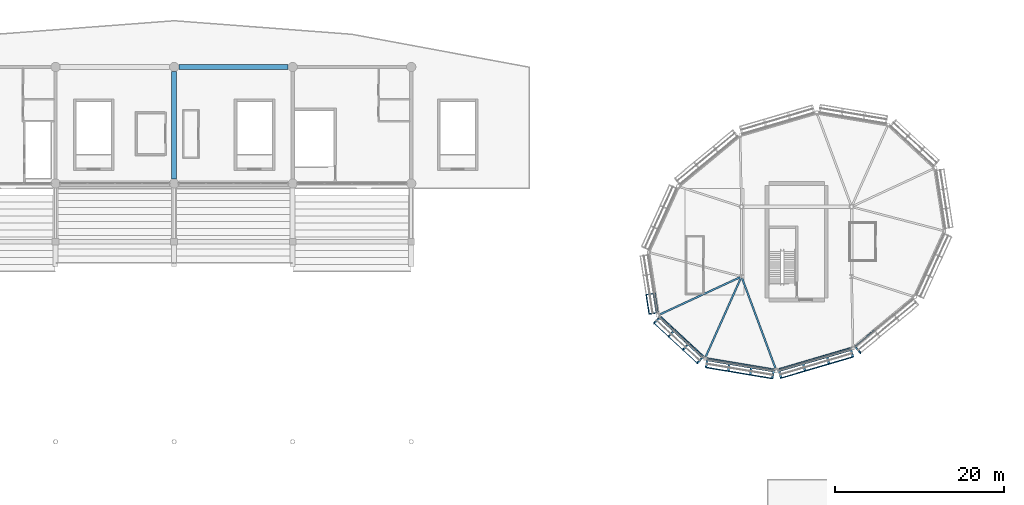
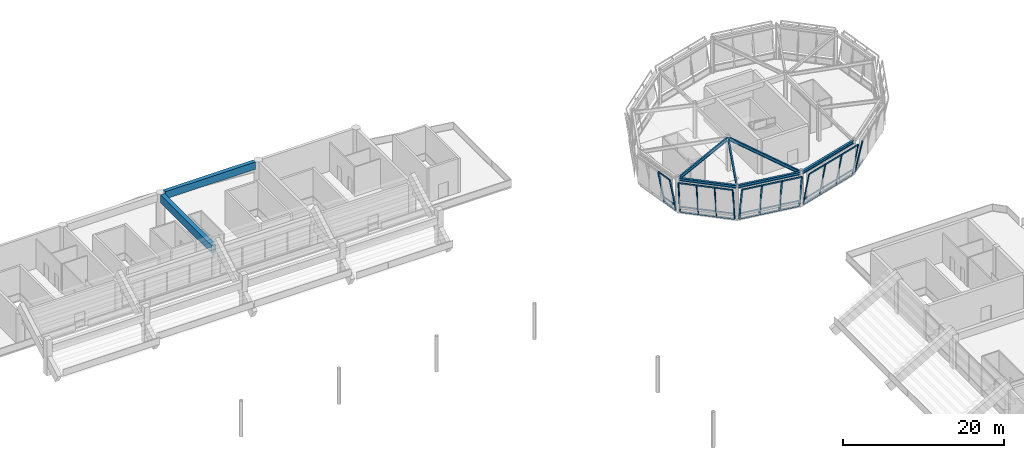
# One storey, part 53 of 90: 46 members, 8 beams, 5 elements without a shape of their own.
"""IFC4 building model written with IfcOpenShell, lengths in metres."""

from ifc_helpers import new_model, si_unit, direction, frame, origin, origin_2d, place, context, subcontext, project, spatial, rectangle, hollow_rectangle, i_section, extrude, material, material_profile, profile_set, type_object, element, aggregate, save


model = new_model("IFC4")

# Units and contexts
model_context = context("Model", 3, precision=1e-05, world=origin(), true_north=direction((0.0, 1.0)))
body_context = subcontext(model_context, "Body", "Model", "MODEL_VIEW")
ifc_project = project(units=[si_unit("LENGTHUNIT", "METRE"), si_unit("AREAUNIT", "SQUARE_METRE"), si_unit("VOLUMEUNIT", "CUBIC_METRE"), si_unit("PLANEANGLEUNIT", "RADIAN"), si_unit("MASSUNIT", "GRAM", prefix="KILO")], contexts=[model_context])

# Site, building, storey
site_placement = place(None, origin())
site = spatial("IfcSite", under=ifc_project, at=site_placement, CompositionType="ELEMENT")
building_placement = place(site_placement, origin())
building = spatial("IfcBuilding", under=site, at=building_placement, Name="Linyun Crest Stadium", CompositionType="ELEMENT")
storey_placement = place(building_placement, frame((0.0, 0.0, 21.0)))
storey = spatial("IfcBuildingStorey", under=building, at=storey_placement, Name="L05", CompositionType="ELEMENT", Elevation=21.0)

# Beams
ifc_material_1 = material(Name="Steel Q355C", Category="steel")
ifc_material_profile_1 = material_profile(ifc_material_1, i_section(OverallWidth=0.300048828125, OverallDepth=0.43994140625, WebThickness=0.010986328125, FlangeThickness=0.01806640625, at=origin_2d()), Name="HM 440x300")
ifc_profile_set_1 = profile_set([ifc_material_profile_1], Name="Steel Q355C")
beam_type_1 = type_object("IfcBeamType", Name="B07", PredefinedType="BEAM", material=ifc_profile_set_1)
beam_1_placement = place(storey_placement, frame((57.2529296875, 75.85888671875, 4.929931640625), z_axis=(0.734193861678, -0.678939889441, 0.0), x_axis=(0.678939889441, 0.734193861678, 0.0)))
element("IfcBeam", 1, at=beam_1_placement, inside=storey, type_object=beam_type_1, Name="Pod ring girder B07 L05 157", PredefinedType="BEAM", context=body_context, shape_type="SweptSolid", body=[
    extrude(i_section(OverallWidth=0.300048828125, OverallDepth=0.43994140625, WebThickness=0.010986328125, FlangeThickness=0.01806640625, at=origin_2d()), origin(), (0.0, 0.0, 1.0), 7.28173828125),
])
beam_2_placement = place(storey_placement, frame((62.804931640625, 70.81396484375, 4.929931640625), z_axis=(0.986275969976, -0.165105151487, 0.0), x_axis=(0.165105151487, 0.986275969976, 0.0)))
element("IfcBeam", 2, at=beam_2_placement, inside=storey, type_object=beam_type_1, Name="Pod ring girder B07 L05 159", PredefinedType="BEAM", context=body_context, shape_type="SweptSolid", body=[
    extrude(i_section(OverallWidth=0.300048828125, OverallDepth=0.43994140625, WebThickness=0.010986328125, FlangeThickness=0.01806640625, at=origin_2d()), origin(), (0.0, 0.0, 1.0), 8.296875),
])
beam_3_placement = place(storey_placement, frame((71.220947265625, 69.4580078125, 4.929931640625), z_axis=(0.959427571735, 0.281955199623, 0.0), x_axis=(-0.281955199623, 0.959427571735, 0.0)))
element("IfcBeam", 3, at=beam_3_placement, inside=storey, type_object=beam_type_1, Name="Pod ring girder B07 L05 161", PredefinedType="BEAM", context=body_context, shape_type="SweptSolid", body=[
    extrude(i_section(OverallWidth=0.300048828125, OverallDepth=0.43994140625, WebThickness=0.010986328125, FlangeThickness=0.01806640625, at=origin_2d()), origin(), (0.0, 0.0, 1.0), 9.203369140625),
])
ifc_material_2 = material(Name="Steel Q355C", Category="steel")
ifc_material_profile_2 = material_profile(ifc_material_2, i_section(OverallWidth=0.199951171875, OverallDepth=0.5, WebThickness=0.010009765625, FlangeThickness=0.01611328125, at=origin_2d()), Name="HN 500x200")
ifc_profile_set_2 = profile_set([ifc_material_profile_2], Name="Steel Q355C")
beam_type_2 = type_object("IfcBeamType", Name="B10", PredefinedType="BEAM", material=ifc_profile_set_2)
beam_4_placement = place(storey_placement, frame((66.819091796875, 80.416015625, 4.89990234375), z_axis=(-0.907241490816, -0.420610125106, 0.0), x_axis=(0.420610125106, -0.907241490816, 0.0)))
element("IfcBeam", 4, at=beam_4_placement, inside=storey, type_object=beam_type_2, Name="Pod radial tie girder B10 L05 158", PredefinedType="BEAM", context=body_context, shape_type="SweptSolid", body=[
    extrude(i_section(OverallWidth=0.199951171875, OverallDepth=0.5, WebThickness=0.010009765625, FlangeThickness=0.01611328125, at=origin_2d()), origin(), (0.0, 0.0, 1.0), 10.420654296875),
])
beam_5_placement = place(storey_placement, frame((66.9189453125, 80.31689453125, 4.89990234375), z_axis=(-0.407495258441, -0.913207322763, 0.0), x_axis=(0.913207322763, -0.407495258441, 0.0)))
element("IfcBeam", 5, at=beam_5_placement, inside=storey, type_object=beam_type_2, Name="Pod radial tie girder B10 L05 160", PredefinedType="BEAM", context=body_context, shape_type="SweptSolid", body=[
    extrude(i_section(OverallWidth=0.199951171875, OverallDepth=0.5, WebThickness=0.010009765625, FlangeThickness=0.01611328125, at=origin_2d()), origin(), (0.0, 0.0, 1.0), 10.1640625),
])
beam_6_placement = place(storey_placement, frame((67.070068359375, 80.31201171875, 4.89990234375), z_axis=(0.347593524127, -0.937645317796, 0.0), x_axis=(0.937645317796, 0.347593524127, 0.0)))
element("IfcBeam", 6, at=beam_6_placement, inside=storey, type_object=beam_type_2, Name="Pod radial tie girder B10 L05 162", PredefinedType="BEAM", context=body_context, shape_type="SweptSolid", body=[
    extrude(i_section(OverallWidth=0.199951171875, OverallDepth=0.5, WebThickness=0.010009765625, FlangeThickness=0.01611328125, at=origin_2d()), origin(), (0.0, 0.0, 1.0), 11.392578125),
])

# Curtain wall, members
ifc_material_3 = material(Name="Verdigris steel and low-E curtain wall assembly", Category="steel")
curtain_wall_type = type_object("IfcCurtainWallType", Name="MCW04", PredefinedType="NOTDEFINED", material=ifc_material_3)
curtain_wall_1_placement = place(storey_placement, origin())
curtain_wall_1 = element("IfcCurtainWall", 7, at=curtain_wall_1_placement, inside=storey, type_object=curtain_wall_type, Name="CWR-054", PredefinedType="NOTDEFINED")
ifc_material_4 = material(Name="Verdigris painted steel Q355C pod mullion", Category="steel")
ifc_material_profile_3 = material_profile(ifc_material_4, hollow_rectangle(XDim=0.1201171875, YDim=0.219970703125, WallThickness=0.008056640625, at=origin_2d()), Name="RHS 220x120x8")
ifc_profile_set_3 = profile_set([ifc_material_profile_3], Name="Verdigris painted steel Q355C pod mullion")
member_type_1 = type_object("IfcMemberType", Name="ML04", PredefinedType="MULLION", material=ifc_profile_set_3)
member_1_placement = place(storey_placement, frame((56.76806640625, 78.51611328125, 0.0), z_axis=(-0.196972134201, -0.030212480498, 0.979943459782), x_axis=(0.297195980981, -0.95433515081, 0.030314498475)))
member_1 = element("IfcMember", 8, at=member_1_placement, type_object=member_type_1, Name="CWR-054 mullion 3", PredefinedType="MULLION", context=body_context, shape_type="SweptSolid", body=[
    extrude(hollow_rectangle(XDim=0.1201171875, YDim=0.219970703125, WallThickness=0.008056640625, at=origin_2d()), origin(), (0.0, 0.0, 1.0), 5.16357421875),
])
member_2_placement = place(storey_placement, frame((57.118896484375, 76.237060546875, 0.0), z_axis=(-0.196925558343, -0.030401712849, 0.97994696812), x_axis=(0.298126026527, -0.954045105123, 0.030311873873)))
member_2 = element("IfcMember", 9, at=member_2_placement, type_object=member_type_1, Name="CWR-054 mullion 4", PredefinedType="MULLION", context=body_context, shape_type="SweptSolid", body=[
    extrude(hollow_rectangle(XDim=0.1201171875, YDim=0.219970703125, WallThickness=0.008056640625, at=origin_2d()), origin(), (0.0, 0.0, 1.0), 5.16357421875),
])

curtain_wall_2_placement = place(storey_placement, origin())
curtain_wall_2 = element("IfcCurtainWall", 10, at=curtain_wall_2_placement, inside=storey, type_object=curtain_wall_type, Name="CWR-055", PredefinedType="NOTDEFINED")
member_3_placement = place(storey_placement, frame((57.385009765625, 75.736083984375, 0.0), z_axis=(-0.135361474609, -0.146424899359, 0.979916843431), x_axis=(0.986908625049, 0.067601716687, 0.146428732514)))
member_3 = element("IfcMember", 11, at=member_3_placement, type_object=member_type_1, Name="CWR-055 mullion 1", PredefinedType="MULLION", context=body_context, shape_type="SweptSolid", body=[
    extrude(hollow_rectangle(XDim=0.1201171875, YDim=0.219970703125, WallThickness=0.008056640625, at=origin_2d()), origin(), (0.0, 0.0, 1.0), 5.163818359375),
])
member_4_placement = place(storey_placement, frame((59.0791015625, 74.169921875, 0.0), z_axis=(-0.135408824728, -0.146377696005, 0.97991735381), x_axis=(0.986931474676, 0.067271316009, 0.146426890757)))
member_4 = element("IfcMember", 12, at=member_4_placement, type_object=member_type_1, Name="CWR-055 mullion 2", PredefinedType="MULLION", context=body_context, shape_type="SweptSolid", body=[
    extrude(hollow_rectangle(XDim=0.1201171875, YDim=0.219970703125, WallThickness=0.008056640625, at=origin_2d()), origin(), (0.0, 0.0, 1.0), 5.163818359375),
])
member_5_placement = place(storey_placement, frame((60.77294921875, 72.60400390625, 0.0), z_axis=(-0.135361474609, -0.146424899359, 0.979916843431), x_axis=(0.986908625049, 0.067601716687, 0.146428732514)))
member_5 = element("IfcMember", 13, at=member_5_placement, type_object=member_type_1, Name="CWR-055 mullion 3", PredefinedType="MULLION", context=body_context, shape_type="SweptSolid", body=[
    extrude(hollow_rectangle(XDim=0.1201171875, YDim=0.219970703125, WallThickness=0.008056640625, at=origin_2d()), origin(), (0.0, 0.0, 1.0), 5.163818359375),
])
member_6_placement = place(storey_placement, frame((62.467041015625, 71.0380859375, 0.0), z_axis=(-0.135361474609, -0.146424899359, 0.979916843431), x_axis=(0.986908625049, 0.067601716687, 0.146428732514)))
member_6 = element("IfcMember", 14, at=member_6_placement, type_object=member_type_1, Name="CWR-055 mullion 4", PredefinedType="MULLION", context=body_context, shape_type="SweptSolid", body=[
    extrude(hollow_rectangle(XDim=0.1201171875, YDim=0.219970703125, WallThickness=0.008056640625, at=origin_2d()), origin(), (0.0, 0.0, 1.0), 5.163818359375),
])

curtain_wall_3_placement = place(storey_placement, origin())
curtain_wall_3 = element("IfcCurtainWall", 15, at=curtain_wall_3_placement, inside=storey, type_object=curtain_wall_type, Name="CWR-056", PredefinedType="NOTDEFINED")
member_7_placement = place(storey_placement, frame((62.98291015625, 70.783935546875, 0.0), z_axis=(-0.032907446798, -0.196546345318, 0.979942158542), x_axis=(0.322380364555, 0.925980213076, 0.196549091937)))
member_7 = element("IfcMember", 16, at=member_7_placement, type_object=member_type_1, Name="CWR-056 mullion 1", PredefinedType="MULLION", context=body_context, shape_type="SweptSolid", body=[
    extrude(hollow_rectangle(XDim=0.1201171875, YDim=0.219970703125, WallThickness=0.008056640625, at=origin_2d()), origin(), (0.0, 0.0, 1.0), 5.16357421875),
])
member_8_placement = place(storey_placement, frame((65.592041015625, 70.346923828125, 0.0), z_axis=(-0.032907446798, -0.196546345318, 0.979942158542), x_axis=(0.322380364555, 0.925980213076, 0.196549091937)))
member_8 = element("IfcMember", 17, at=member_8_placement, type_object=member_type_1, Name="CWR-056 mullion 2", PredefinedType="MULLION", context=body_context, shape_type="SweptSolid", body=[
    extrude(hollow_rectangle(XDim=0.1201171875, YDim=0.219970703125, WallThickness=0.008056640625, at=origin_2d()), origin(), (0.0, 0.0, 1.0), 5.16357421875),
])
member_9_placement = place(storey_placement, frame((68.200927734375, 69.910888671875, 0.0), z_axis=(-0.03290622306, -0.196728152516, 0.979905717144), x_axis=(0.322229454544, 0.925995226234, 0.196725747212)))
member_9 = element("IfcMember", 18, at=member_9_placement, type_object=member_type_1, Name="CWR-056 mullion 3", PredefinedType="MULLION", context=body_context, shape_type="SweptSolid", body=[
    extrude(hollow_rectangle(XDim=0.1201171875, YDim=0.219970703125, WallThickness=0.008056640625, at=origin_2d()), origin(), (0.0, 0.0, 1.0), 5.163818359375),
])
member_10_placement = place(storey_placement, frame((70.81005859375, 69.47412109375, 0.0), z_axis=(-0.032954370027, -0.19659149293, 0.979931525365), x_axis=(0.322558975368, 0.925907063302, 0.196600654976)))
member_10 = element("IfcMember", 19, at=member_10_placement, type_object=member_type_1, Name="CWR-056 mullion 4", PredefinedType="MULLION", context=body_context, shape_type="SweptSolid", body=[
    extrude(hollow_rectangle(XDim=0.1201171875, YDim=0.219970703125, WallThickness=0.008056640625, at=origin_2d()), origin(), (0.0, 0.0, 1.0), 5.16357421875),
])

curtain_wall_4_placement = place(storey_placement, origin())
curtain_wall_4 = element("IfcCurtainWall", 20, at=curtain_wall_4_placement, inside=storey, type_object=curtain_wall_type, Name="CWR-057", PredefinedType="NOTDEFINED")
member_11_placement = place(storey_placement, frame((71.39404296875, 69.509033203125, 0.0), z_axis=(0.056168070102, -0.191340218605, 0.979915337488), x_axis=(-0.535394875779, 0.822647487716, 0.191320249697)))
member_11 = element("IfcMember", 21, at=member_11_placement, type_object=member_type_1, Name="CWR-057 mullion 1", PredefinedType="MULLION", context=body_context, shape_type="SweptSolid", body=[
    extrude(hollow_rectangle(XDim=0.1201171875, YDim=0.219970703125, WallThickness=0.008056640625, at=origin_2d()), origin(), (0.0, 0.0, 1.0), 5.163818359375),
])
member_12_placement = place(storey_placement, frame((74.221923828125, 70.340087890625, 0.0), z_axis=(0.056168070102, -0.191340218605, 0.979915337488), x_axis=(-0.535394875779, 0.822647487716, 0.191320249697)))
member_12 = element("IfcMember", 22, at=member_12_placement, type_object=member_type_1, Name="CWR-057 mullion 2", PredefinedType="MULLION", context=body_context, shape_type="SweptSolid", body=[
    extrude(hollow_rectangle(XDim=0.1201171875, YDim=0.219970703125, WallThickness=0.008056640625, at=origin_2d()), origin(), (0.0, 0.0, 1.0), 5.163818359375),
])
member_13_placement = place(storey_placement, frame((77.050048828125, 71.1708984375, 0.0), z_axis=(0.056168578169, -0.191294669421, 0.979924201292), x_axis=(-0.535452219958, 0.822619883242, 0.191278456282)))
member_13 = element("IfcMember", 23, at=member_13_placement, type_object=member_type_1, Name="CWR-057 mullion 3", PredefinedType="MULLION", context=body_context, shape_type="SweptSolid", body=[
    extrude(hollow_rectangle(XDim=0.1201171875, YDim=0.219970703125, WallThickness=0.008056640625, at=origin_2d()), origin(), (0.0, 0.0, 1.0), 5.163818359375),
])
member_14_placement = place(storey_placement, frame((79.8779296875, 72.001953125, 0.0), z_axis=(0.056168070102, -0.191340218605, 0.979915337488), x_axis=(-0.535394875779, 0.822647487716, 0.191320249697)))
member_14 = element("IfcMember", 24, at=member_14_placement, type_object=member_type_1, Name="CWR-057 mullion 4", PredefinedType="MULLION", context=body_context, shape_type="SweptSolid", body=[
    extrude(hollow_rectangle(XDim=0.1201171875, YDim=0.219970703125, WallThickness=0.008056640625, at=origin_2d()), origin(), (0.0, 0.0, 1.0), 5.163818359375),
])

# Curtain wall, member
curtain_wall_5_placement = place(storey_placement, origin())
curtain_wall_5 = element("IfcCurtainWall", 25, at=curtain_wall_5_placement, inside=storey, type_object=curtain_wall_type, Name="CWR-058", PredefinedType="NOTDEFINED")
member_15_placement = place(storey_placement, frame((80.39697265625, 72.278076171875, 0.0), z_axis=(0.127228985463, -0.153563636115, 0.979913769125), x_axis=(-0.972618583127, 0.174402528684, 0.153612661409)))
member_15 = element("IfcMember", 26, at=member_15_placement, type_object=member_type_1, Name="CWR-058 mullion 1", PredefinedType="MULLION", context=body_context, shape_type="SweptSolid", body=[
    extrude(hollow_rectangle(XDim=0.1201171875, YDim=0.219970703125, WallThickness=0.008056640625, at=origin_2d()), origin(), (0.0, 0.0, 1.0), 5.163818359375),
])

# Beams
ifc_material_5 = material(Name="Concrete C50", Category="concrete")
ifc_material_profile_4 = material_profile(ifc_material_5, rectangle(XDim=0.550048828125, YDim=1.10009765625, at=origin_2d()), Name="RCB 1100x550")
ifc_profile_set_4 = profile_set([ifc_material_profile_4], Name="Concrete C50")
beam_type_3 = type_object("IfcBeamType", Name="TB01", PredefinedType="USERDEFINED", material=ifc_profile_set_4)
beam_7_placement = place(storey_placement, frame((0.550048828125, 105.25, 4.635009765625), z_axis=(1.0, 0.0, 0.0), x_axis=(0.0, 1.0, 0.0)))
element("IfcBeam", 27, at=beam_7_placement, inside=storey, type_object=beam_type_3, Name="Frame beam TB01 L05 827", ObjectType="GIRDER", PredefinedType="USERDEFINED", context=body_context, shape_type="SweptSolid", body=[
    extrude(rectangle(XDim=0.550048828125, YDim=1.10009765625, at=origin_2d()), origin(), (0.0, 0.0, 1.0), 12.89990234375),
])
ifc_material_6 = material(Name="Concrete C50", Category="concrete")
ifc_material_profile_5 = material_profile(ifc_material_6, rectangle(XDim=0.60009765625, YDim=1.199951171875, at=origin_2d()), Name="RCB 1200x600")
ifc_profile_set_5 = profile_set([ifc_material_profile_5], Name="Concrete C50")
beam_type_4 = type_object("IfcBeamType", Name="TB02", PredefinedType="USERDEFINED", material=ifc_profile_set_5)
beam_8_placement = place(storey_placement, frame((0.0, 92.050048828125, 4.5849609375), z_axis=(0.0, 1.0, 0.0), x_axis=(-1.0, 0.0, 0.0)))
element("IfcBeam", 28, at=beam_8_placement, inside=storey, type_object=beam_type_4, Name="Frame beam TB02 L05 831", ObjectType="GIRDER", PredefinedType="USERDEFINED", context=body_context, shape_type="SweptSolid", body=[
    extrude(rectangle(XDim=0.60009765625, YDim=1.199951171875, at=origin_2d()), origin(), (0.0, 0.0, 1.0), 12.64990234375),
])

# Member
ifc_material_7 = material(Name="Verdigris painted steel Q355C transom", Category="steel")
ifc_material_profile_6 = material_profile(ifc_material_7, hollow_rectangle(XDim=0.10009765625, YDim=0.199951171875, WallThickness=0.008056640625, at=origin_2d()), Name="RHS 200x100x8")
ifc_profile_set_6 = profile_set([ifc_material_profile_6], Name="Verdigris painted steel Q355C transom")
member_type_2 = type_object("IfcMemberType", Name="TR03", PredefinedType="USERDEFINED", material=ifc_profile_set_6)
member_16_placement = place(storey_placement, frame((56.76806640625, 78.51611328125, 0.0), z_axis=(0.152144700169, -0.988358229697, 0.0), x_axis=(0.988358229697, 0.152144700169, 0.0)))
member_16 = element("IfcMember", 29, at=member_16_placement, type_object=member_type_2, Name="CWR-054 transom 3.1", ObjectType="TRANSOM", PredefinedType="USERDEFINED", context=body_context, shape_type="SweptSolid", body=[
    extrude(hollow_rectangle(XDim=0.10009765625, YDim=0.199951171875, WallThickness=0.008056640625, at=origin_2d()), origin(), (0.0, 0.0, 1.0), 2.305908203125),
])

member_17_placement = place(storey_placement, frame((56.5869140625, 78.488037109375, 0.89990234375), z_axis=(0.152248123454, -0.988342303509, 0.0), x_axis=(0.988342303509, 0.152248123454, 0.0)))
member_17 = element("IfcMember", 30, at=member_17_placement, type_object=member_type_2, Name="CWR-054 transom 3.2", ObjectType="TRANSOM", PredefinedType="USERDEFINED", context=body_context, shape_type="SweptSolid", body=[
    extrude(hollow_rectangle(XDim=0.10009765625, YDim=0.199951171875, WallThickness=0.008056640625, at=origin_2d()), origin(), (0.0, 0.0, 1.0), 2.305908203125),
])

member_18_placement = place(storey_placement, frame((55.7509765625, 78.360107421875, 5.06005859375), z_axis=(0.152184424427, -0.988352113855, 0.0), x_axis=(0.988352113855, 0.152184424427, 0.0)))
member_18 = element("IfcMember", 31, at=member_18_placement, type_object=member_type_2, Name="CWR-054 transom 3.3", ObjectType="TRANSOM", PredefinedType="USERDEFINED", context=body_context, shape_type="SweptSolid", body=[
    extrude(hollow_rectangle(XDim=0.10009765625, YDim=0.199951171875, WallThickness=0.008056640625, at=origin_2d()), origin(), (0.0, 0.0, 1.0), 2.306884765625),
])

aggregate(curtain_wall_1, [member_1, member_2, member_16, member_17, member_18])

member_19_placement = place(storey_placement, frame((57.385009765625, 75.736083984375, 0.0), z_axis=(0.734287991916, -0.678838084471, 0.0), x_axis=(0.678838084471, 0.734287991916, 0.0)))
member_19 = element("IfcMember", 32, at=member_19_placement, type_object=member_type_2, Name="CWR-055 transom 1.1", ObjectType="TRANSOM", PredefinedType="USERDEFINED", context=body_context, shape_type="SweptSolid", body=[
    extrude(hollow_rectangle(XDim=0.10009765625, YDim=0.199951171875, WallThickness=0.008056640625, at=origin_2d()), origin(), (0.0, 0.0, 1.0), 2.30712890625),
])

member_20_placement = place(storey_placement, frame((57.260986328125, 75.60205078125, 0.89990234375), z_axis=(0.734287991916, -0.678838084471, 0.0), x_axis=(0.678838084471, 0.734287991916, 0.0)))
member_20 = element("IfcMember", 33, at=member_20_placement, type_object=member_type_2, Name="CWR-055 transom 1.2", ObjectType="TRANSOM", PredefinedType="USERDEFINED", context=body_context, shape_type="SweptSolid", body=[
    extrude(hollow_rectangle(XDim=0.10009765625, YDim=0.199951171875, WallThickness=0.008056640625, at=origin_2d()), origin(), (0.0, 0.0, 1.0), 2.30712890625),
])

member_21_placement = place(storey_placement, frame((56.68603515625, 74.97998046875, 5.06005859375), z_axis=(0.73429197574, -0.678833775208, 0.0), x_axis=(0.678833775208, 0.73429197574, 0.0)))
member_21 = element("IfcMember", 34, at=member_21_placement, type_object=member_type_2, Name="CWR-055 transom 1.3", ObjectType="TRANSOM", PredefinedType="USERDEFINED", context=body_context, shape_type="SweptSolid", body=[
    extrude(hollow_rectangle(XDim=0.10009765625, YDim=0.199951171875, WallThickness=0.008056640625, at=origin_2d()), origin(), (0.0, 0.0, 1.0), 2.306884765625),
])

member_22_placement = place(storey_placement, frame((59.0791015625, 74.169921875, 0.0), z_axis=(0.73429197574, -0.678833775208, 0.0), x_axis=(0.678833775208, 0.73429197574, 0.0)))
member_22 = element("IfcMember", 35, at=member_22_placement, type_object=member_type_2, Name="CWR-055 transom 2.1", ObjectType="TRANSOM", PredefinedType="USERDEFINED", context=body_context, shape_type="SweptSolid", body=[
    extrude(hollow_rectangle(XDim=0.10009765625, YDim=0.199951171875, WallThickness=0.008056640625, at=origin_2d()), origin(), (0.0, 0.0, 1.0), 2.306884765625),
])

member_23_placement = place(storey_placement, frame((58.955078125, 74.035888671875, 0.89990234375), z_axis=(0.73429197574, -0.678833775208, 0.0), x_axis=(0.678833775208, 0.73429197574, 0.0)))
member_23 = element("IfcMember", 36, at=member_23_placement, type_object=member_type_2, Name="CWR-055 transom 2.2", ObjectType="TRANSOM", PredefinedType="USERDEFINED", context=body_context, shape_type="SweptSolid", body=[
    extrude(hollow_rectangle(XDim=0.10009765625, YDim=0.199951171875, WallThickness=0.008056640625, at=origin_2d()), origin(), (0.0, 0.0, 1.0), 2.306884765625),
])

member_24_placement = place(storey_placement, frame((58.3798828125, 73.4140625, 5.06005859375), z_axis=(0.734287991916, -0.678838084471, 0.0), x_axis=(0.678838084471, 0.734287991916, 0.0)))
member_24 = element("IfcMember", 37, at=member_24_placement, type_object=member_type_2, Name="CWR-055 transom 2.3", ObjectType="TRANSOM", PredefinedType="USERDEFINED", context=body_context, shape_type="SweptSolid", body=[
    extrude(hollow_rectangle(XDim=0.10009765625, YDim=0.199951171875, WallThickness=0.008056640625, at=origin_2d()), origin(), (0.0, 0.0, 1.0), 2.30712890625),
])

member_25_placement = place(storey_placement, frame((60.77294921875, 72.60400390625, 0.0), z_axis=(0.734340741023, -0.678781022182, 0.0), x_axis=(0.678781022182, 0.734340741023, 0.0)))
member_25 = element("IfcMember", 38, at=member_25_placement, type_object=member_type_2, Name="CWR-055 transom 3.1", ObjectType="TRANSOM", PredefinedType="USERDEFINED", context=body_context, shape_type="SweptSolid", body=[
    extrude(hollow_rectangle(XDim=0.10009765625, YDim=0.199951171875, WallThickness=0.008056640625, at=origin_2d()), origin(), (0.0, 0.0, 1.0), 2.306884765625),
])

member_26_placement = place(storey_placement, frame((60.64892578125, 72.469970703125, 0.89990234375), z_axis=(0.734340741023, -0.678781022182, 0.0), x_axis=(0.678781022182, 0.734340741023, 0.0)))
member_26 = element("IfcMember", 39, at=member_26_placement, type_object=member_type_2, Name="CWR-055 transom 3.2", ObjectType="TRANSOM", PredefinedType="USERDEFINED", context=body_context, shape_type="SweptSolid", body=[
    extrude(hollow_rectangle(XDim=0.10009765625, YDim=0.199951171875, WallThickness=0.008056640625, at=origin_2d()), origin(), (0.0, 0.0, 1.0), 2.306884765625),
])

member_27_placement = place(storey_placement, frame((60.073974609375, 71.847900390625, 5.06005859375), z_axis=(0.734340741023, -0.678781022182, 0.0), x_axis=(0.678781022182, 0.734340741023, 0.0)))
member_27 = element("IfcMember", 40, at=member_27_placement, type_object=member_type_2, Name="CWR-055 transom 3.3", ObjectType="TRANSOM", PredefinedType="USERDEFINED", context=body_context, shape_type="SweptSolid", body=[
    extrude(hollow_rectangle(XDim=0.10009765625, YDim=0.199951171875, WallThickness=0.008056640625, at=origin_2d()), origin(), (0.0, 0.0, 1.0), 2.306884765625),
])

aggregate(curtain_wall_2, [member_3, member_4, member_5, member_6, member_19, member_20, member_21, member_22, member_23, member_24, member_25, member_26, member_27])

member_28_placement = place(storey_placement, frame((62.98291015625, 70.783935546875, 0.0), z_axis=(0.986261411357, -0.165192095661, 0.0), x_axis=(0.165192095661, 0.986261411357, 0.0)))
member_28 = element("IfcMember", 41, at=member_28_placement, type_object=member_type_2, Name="CWR-056 transom 1.1", ObjectType="TRANSOM", PredefinedType="USERDEFINED", context=body_context, shape_type="SweptSolid", body=[
    extrude(hollow_rectangle(XDim=0.10009765625, YDim=0.199951171875, WallThickness=0.008056640625, at=origin_2d()), origin(), (0.0, 0.0, 1.0), 2.6455078125),
])

member_29_placement = place(storey_placement, frame((62.952880859375, 70.60302734375, 0.89990234375), z_axis=(0.986321491601, -0.164832991859, 0.0), x_axis=(0.164832991859, 0.986321491601, 0.0)))
member_29 = element("IfcMember", 42, at=member_29_placement, type_object=member_type_2, Name="CWR-056 transom 1.2", ObjectType="TRANSOM", PredefinedType="USERDEFINED", context=body_context, shape_type="SweptSolid", body=[
    extrude(hollow_rectangle(XDim=0.10009765625, YDim=0.199951171875, WallThickness=0.008056640625, at=origin_2d()), origin(), (0.0, 0.0, 1.0), 2.645263671875),
])

member_30_placement = place(storey_placement, frame((62.81298828125, 69.76904296875, 5.06005859375), z_axis=(0.986261411357, -0.165192095661, 0.0), x_axis=(0.165192095661, 0.986261411357, 0.0)))
member_30 = element("IfcMember", 43, at=member_30_placement, type_object=member_type_2, Name="CWR-056 transom 1.3", ObjectType="TRANSOM", PredefinedType="USERDEFINED", context=body_context, shape_type="SweptSolid", body=[
    extrude(hollow_rectangle(XDim=0.10009765625, YDim=0.199951171875, WallThickness=0.008056640625, at=origin_2d()), origin(), (0.0, 0.0, 1.0), 2.6455078125),
])

member_31_placement = place(storey_placement, frame((65.592041015625, 70.346923828125, 0.0), z_axis=(0.986318983701, -0.164847997837, 0.0), x_axis=(0.164847997837, 0.986318983701, 0.0)))
member_31 = element("IfcMember", 44, at=member_31_placement, type_object=member_type_2, Name="CWR-056 transom 2.1", ObjectType="TRANSOM", PredefinedType="USERDEFINED", context=body_context, shape_type="SweptSolid", body=[
    extrude(hollow_rectangle(XDim=0.10009765625, YDim=0.199951171875, WallThickness=0.008056640625, at=origin_2d()), origin(), (0.0, 0.0, 1.0), 2.64501953125),
])

member_32_placement = place(storey_placement, frame((65.56201171875, 70.1669921875, 0.89990234375), z_axis=(0.98625889267, -0.165207132499, 0.0), x_axis=(0.165207132499, 0.98625889267, 0.0)))
member_32 = element("IfcMember", 45, at=member_32_placement, type_object=member_type_2, Name="CWR-056 transom 2.2", ObjectType="TRANSOM", PredefinedType="USERDEFINED", context=body_context, shape_type="SweptSolid", body=[
    extrude(hollow_rectangle(XDim=0.10009765625, YDim=0.199951171875, WallThickness=0.008056640625, at=origin_2d()), origin(), (0.0, 0.0, 1.0), 2.645263671875),
])

member_33_placement = place(storey_placement, frame((65.422119140625, 69.33203125, 5.06005859375), z_axis=(0.98625889267, -0.165207132499, 0.0), x_axis=(0.165207132499, 0.98625889267, 0.0)))
member_33 = element("IfcMember", 46, at=member_33_placement, type_object=member_type_2, Name="CWR-056 transom 2.3", ObjectType="TRANSOM", PredefinedType="USERDEFINED", context=body_context, shape_type="SweptSolid", body=[
    extrude(hollow_rectangle(XDim=0.10009765625, YDim=0.199951171875, WallThickness=0.008056640625, at=origin_2d()), origin(), (0.0, 0.0, 1.0), 2.645263671875),
])

member_34_placement = place(storey_placement, frame((68.200927734375, 69.910888671875, 0.0), z_axis=(0.986276442989, -0.165102325864, 0.0), x_axis=(0.165102325864, 0.986276442989, 0.0)))
member_34 = element("IfcMember", 47, at=member_34_placement, type_object=member_type_2, Name="CWR-056 transom 3.1", ObjectType="TRANSOM", PredefinedType="USERDEFINED", context=body_context, shape_type="SweptSolid", body=[
    extrude(hollow_rectangle(XDim=0.10009765625, YDim=0.199951171875, WallThickness=0.008056640625, at=origin_2d()), origin(), (0.0, 0.0, 1.0), 2.6455078125),
])

member_35_placement = place(storey_placement, frame((68.1708984375, 69.72998046875, 0.89990234375), z_axis=(0.986261411357, -0.165192095661, 0.0), x_axis=(0.165192095661, 0.986261411357, 0.0)))
member_35 = element("IfcMember", 48, at=member_35_placement, type_object=member_type_2, Name="CWR-056 transom 3.2", ObjectType="TRANSOM", PredefinedType="USERDEFINED", context=body_context, shape_type="SweptSolid", body=[
    extrude(hollow_rectangle(XDim=0.10009765625, YDim=0.199951171875, WallThickness=0.008056640625, at=origin_2d()), origin(), (0.0, 0.0, 1.0), 2.6455078125),
])

member_36_placement = place(storey_placement, frame((68.031005859375, 68.89501953125, 5.06005859375), z_axis=(0.986318983701, -0.164847997837, 0.0), x_axis=(0.164847997837, 0.986318983701, 0.0)))
member_36 = element("IfcMember", 49, at=member_36_placement, type_object=member_type_2, Name="CWR-056 transom 3.3", ObjectType="TRANSOM", PredefinedType="USERDEFINED", context=body_context, shape_type="SweptSolid", body=[
    extrude(hollow_rectangle(XDim=0.10009765625, YDim=0.199951171875, WallThickness=0.008056640625, at=origin_2d()), origin(), (0.0, 0.0, 1.0), 2.64501953125),
])

aggregate(curtain_wall_3, [member_7, member_8, member_9, member_10, member_28, member_29, member_30, member_31, member_32, member_33, member_34, member_35, member_36])

member_37_placement = place(storey_placement, frame((71.39404296875, 69.509033203125, 0.0), z_axis=(0.959427469513, 0.28195554746, 0.0), x_axis=(-0.28195554746, 0.959427469513, 0.0)))
member_37 = element("IfcMember", 50, at=member_37_placement, type_object=member_type_2, Name="CWR-057 transom 1.1", ObjectType="TRANSOM", PredefinedType="USERDEFINED", context=body_context, shape_type="SweptSolid", body=[
    extrude(hollow_rectangle(XDim=0.10009765625, YDim=0.199951171875, WallThickness=0.008056640625, at=origin_2d()), origin(), (0.0, 0.0, 1.0), 2.947509765625),
])

member_38_placement = place(storey_placement, frame((71.446044921875, 69.3330078125, 0.89990234375), z_axis=(0.959427469513, 0.28195554746, 0.0), x_axis=(-0.28195554746, 0.959427469513, 0.0)))
member_38 = element("IfcMember", 51, at=member_38_placement, type_object=member_type_2, Name="CWR-057 transom 1.2", ObjectType="TRANSOM", PredefinedType="USERDEFINED", context=body_context, shape_type="SweptSolid", body=[
    extrude(hollow_rectangle(XDim=0.10009765625, YDim=0.199951171875, WallThickness=0.008056640625, at=origin_2d()), origin(), (0.0, 0.0, 1.0), 2.947509765625),
])

member_39_placement = place(storey_placement, frame((71.68408203125, 68.52099609375, 5.06005859375), z_axis=(0.959427469513, 0.28195554746, 0.0), x_axis=(-0.28195554746, 0.959427469513, 0.0)))
member_39 = element("IfcMember", 52, at=member_39_placement, type_object=member_type_2, Name="CWR-057 transom 1.3", ObjectType="TRANSOM", PredefinedType="USERDEFINED", context=body_context, shape_type="SweptSolid", body=[
    extrude(hollow_rectangle(XDim=0.10009765625, YDim=0.199951171875, WallThickness=0.008056640625, at=origin_2d()), origin(), (0.0, 0.0, 1.0), 2.947509765625),
])

member_40_placement = place(storey_placement, frame((74.221923828125, 70.340087890625, 0.0), z_axis=(0.959456454772, 0.281856898791, 0.0), x_axis=(-0.281856898791, 0.959456454772, 0.0)))
member_40 = element("IfcMember", 53, at=member_40_placement, type_object=member_type_2, Name="CWR-057 transom 2.1", ObjectType="TRANSOM", PredefinedType="USERDEFINED", context=body_context, shape_type="SweptSolid", body=[
    extrude(hollow_rectangle(XDim=0.10009765625, YDim=0.199951171875, WallThickness=0.008056640625, at=origin_2d()), origin(), (0.0, 0.0, 1.0), 2.94775390625),
])

member_41_placement = place(storey_placement, frame((74.27392578125, 70.1640625, 0.89990234375), z_axis=(0.959434053677, 0.281933142154, 0.0), x_axis=(-0.281933142154, 0.959434053677, 0.0)))
member_41 = element("IfcMember", 54, at=member_41_placement, type_object=member_type_2, Name="CWR-057 transom 2.2", ObjectType="TRANSOM", PredefinedType="USERDEFINED", context=body_context, shape_type="SweptSolid", body=[
    extrude(hollow_rectangle(XDim=0.10009765625, YDim=0.199951171875, WallThickness=0.008056640625, at=origin_2d()), origin(), (0.0, 0.0, 1.0), 2.94775390625),
])

member_42_placement = place(storey_placement, frame((74.511962890625, 69.35205078125, 5.06005859375), z_axis=(0.959434053677, 0.281933142154, 0.0), x_axis=(-0.281933142154, 0.959434053677, 0.0)))
member_42 = element("IfcMember", 55, at=member_42_placement, type_object=member_type_2, Name="CWR-057 transom 2.3", ObjectType="TRANSOM", PredefinedType="USERDEFINED", context=body_context, shape_type="SweptSolid", body=[
    extrude(hollow_rectangle(XDim=0.10009765625, YDim=0.199951171875, WallThickness=0.008056640625, at=origin_2d()), origin(), (0.0, 0.0, 1.0), 2.94775390625),
])

member_43_placement = place(storey_placement, frame((77.050048828125, 71.1708984375, 0.0), z_axis=(0.959427469513, 0.28195554746, 0.0), x_axis=(-0.28195554746, 0.959427469513, 0.0)))
member_43 = element("IfcMember", 56, at=member_43_placement, type_object=member_type_2, Name="CWR-057 transom 3.1", ObjectType="TRANSOM", PredefinedType="USERDEFINED", context=body_context, shape_type="SweptSolid", body=[
    extrude(hollow_rectangle(XDim=0.10009765625, YDim=0.199951171875, WallThickness=0.008056640625, at=origin_2d()), origin(), (0.0, 0.0, 1.0), 2.947509765625),
])

member_44_placement = place(storey_placement, frame((77.10205078125, 70.9951171875, 0.89990234375), z_axis=(0.959449874016, 0.281879299083, 0.0), x_axis=(-0.281879299083, 0.959449874016, 0.0)))
member_44 = element("IfcMember", 57, at=member_44_placement, type_object=member_type_2, Name="CWR-057 transom 3.2", ObjectType="TRANSOM", PredefinedType="USERDEFINED", context=body_context, shape_type="SweptSolid", body=[
    extrude(hollow_rectangle(XDim=0.10009765625, YDim=0.199951171875, WallThickness=0.008056640625, at=origin_2d()), origin(), (0.0, 0.0, 1.0), 2.947509765625),
])

member_45_placement = place(storey_placement, frame((77.340087890625, 70.18310546875, 5.06005859375), z_axis=(0.959449874016, 0.281879299083, 0.0), x_axis=(-0.281879299083, 0.959449874016, 0.0)))
member_45 = element("IfcMember", 58, at=member_45_placement, type_object=member_type_2, Name="CWR-057 transom 3.3", ObjectType="TRANSOM", PredefinedType="USERDEFINED", context=body_context, shape_type="SweptSolid", body=[
    extrude(hollow_rectangle(XDim=0.10009765625, YDim=0.199951171875, WallThickness=0.008056640625, at=origin_2d()), origin(), (0.0, 0.0, 1.0), 2.947509765625),
])

aggregate(curtain_wall_4, [member_11, member_12, member_13, member_14, member_37, member_38, member_39, member_40, member_41, member_42, member_43, member_44, member_45])

member_46_placement = place(storey_placement, frame((80.39697265625, 72.278076171875, 0.0), z_axis=(0.770321380351, 0.63765584054, 0.0), x_axis=(-0.63765584054, 0.770321380351, 0.0)))
member_46 = element("IfcMember", 59, at=member_46_placement, type_object=member_type_2, Name="CWR-058 transom 1.1", ObjectType="TRANSOM", PredefinedType="USERDEFINED", context=body_context, shape_type="SweptSolid", body=[
    extrude(hollow_rectangle(XDim=0.10009765625, YDim=0.199951171875, WallThickness=0.008056640625, at=origin_2d()), origin(), (0.0, 0.0, 1.0), 2.947998046875),
])

aggregate(curtain_wall_5, [member_15, member_46])

save(model, "model.ifc")
